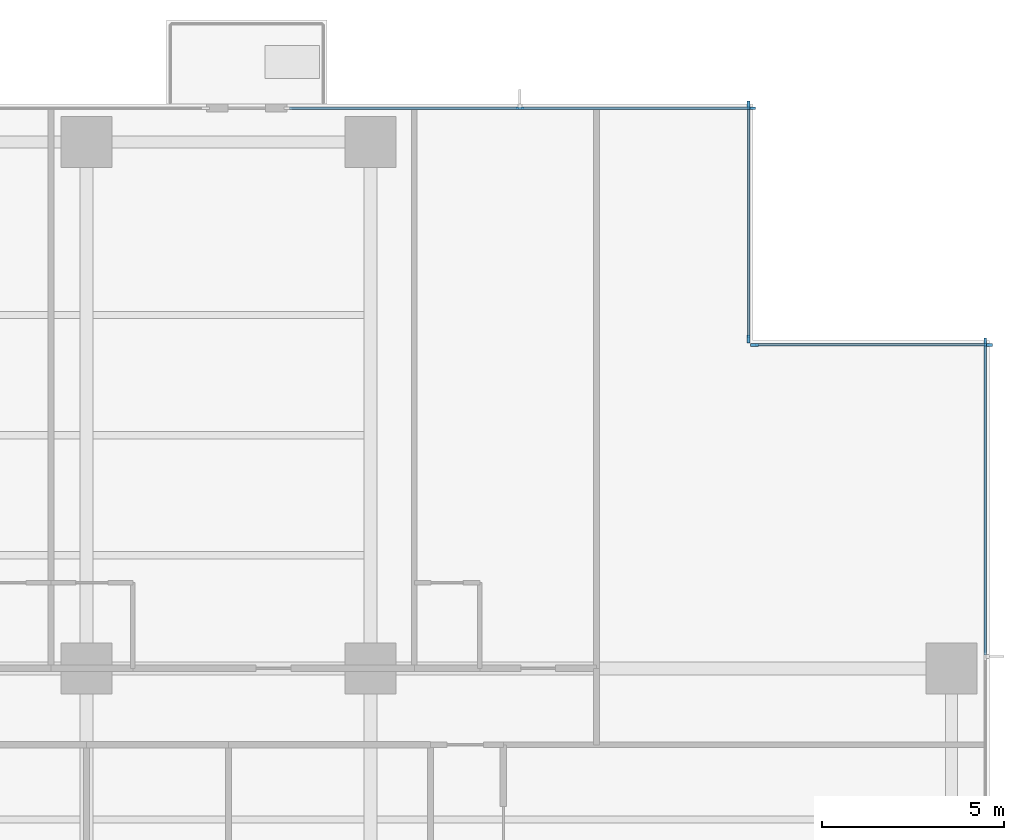
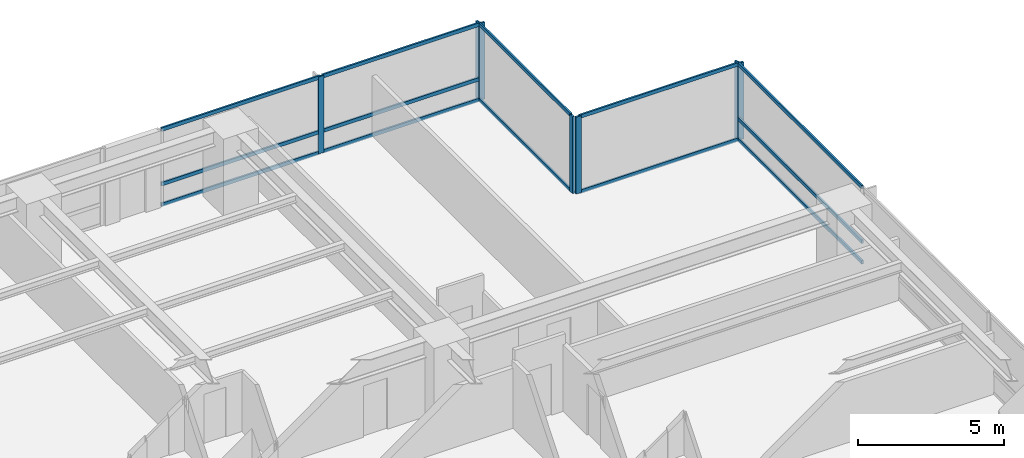
# One storey, part 5 of 16: 20 members, 4 elements without a shape of their own.
"""IFC4 building model written with IfcOpenShell, lengths in metres."""

from ifc_helpers import new_model, si_unit, direction, frame, origin, origin_2d, place, context, subcontext, project, spatial, rectangle, extrude, material, layer, layer_set, material_profile, profile_set, type_object, element, aggregate, save


model = new_model("IFC4")

# Units and contexts
model_context = context("Model", 3, precision=1e-05, world=origin(), true_north=direction((0.0, 1.0)))
body_context = subcontext(model_context, "Body", "Model", "MODEL_VIEW")
ifc_project = project(units=[si_unit("LENGTHUNIT", "METRE"), si_unit("AREAUNIT", "SQUARE_METRE"), si_unit("VOLUMEUNIT", "CUBIC_METRE"), si_unit("PLANEANGLEUNIT", "RADIAN"), si_unit("MASSUNIT", "GRAM", prefix="KILO")], contexts=[model_context])

# Site, building, storey
site_placement = place(None, origin())
site = spatial("IfcSite", under=ifc_project, at=site_placement, CompositionType="ELEMENT")
building_placement = place(site_placement, origin())
building = spatial("IfcBuilding", under=site, at=building_placement, Name="Qalmaran Belvedere Hotel", CompositionType="ELEMENT")
storey_placement = place(building_placement, frame((0.0, 0.0, 50.89990234375)))
storey = spatial("IfcBuildingStorey", under=building, at=storey_placement, Name="L12", CompositionType="ELEMENT", Elevation=50.89990234375)

# Curtain wall, member
ifc_material = material(Name="Anodised Bronze Aluminium", Category="aluminium")
ifc_layer = layer(ifc_material, 0.2099609375, Name="Anodised Bronze Aluminium")
ifc_layer_set = layer_set([ifc_layer], Name="Anodised Bronze Aluminium")
curtain_wall_type = type_object("IfcCurtainWallType", Name="CW2-TOWER-LOWER", PredefinedType="NOTDEFINED", material=ifc_layer_set)
curtain_wall_1_placement = place(storey_placement, origin())
curtain_wall_1 = element("IfcCurtainWall", 1, at=curtain_wall_1_placement, inside=storey, type_object=curtain_wall_type, Name="L12 Curtain Wall CW2", PredefinedType="NOTDEFINED")
ifc_material_profile_1 = material_profile(ifc_material, rectangle(XDim=0.074951171875, YDim=0.219970703125, at=origin_2d()), Name="CWM75X220")
ifc_profile_set_1 = profile_set([ifc_material_profile_1], Name="Anodised Bronze Aluminium")
member_type_1 = type_object("IfcMemberType", Name="CWM-75X220", PredefinedType="MULLION", material=ifc_profile_set_1)
member_1_placement = place(storey_placement, frame((61.679931640625, 41.96240234375, 0.0), z_axis=(0.0, 0.0, 1.0), x_axis=(-1.0, 0.0, 0.0)))
member_1 = element("IfcMember", 2, at=member_1_placement, type_object=member_type_1, Name="CW2 mullion 5", PredefinedType="MULLION", context=body_context, shape_type="SweptSolid", body=[
    extrude(rectangle(XDim=0.074951171875, YDim=0.219970703125, at=origin_2d()), origin(), (0.0, 0.0, 1.0), 3.22021484375),
])

# Curtain wall, members
curtain_wall_2_placement = place(storey_placement, origin())
curtain_wall_2 = element("IfcCurtainWall", 3, at=curtain_wall_2_placement, inside=storey, type_object=curtain_wall_type, Name="L12 Curtain Wall CW2", PredefinedType="NOTDEFINED")
member_2_placement = place(storey_placement, frame((61.762451171875, 41.8798828125, 0.0), z_axis=(0.0, 0.0, 1.0), x_axis=(0.0, -1.0, 0.0)))
member_2 = element("IfcMember", 4, at=member_2_placement, type_object=member_type_1, Name="CW2 mullion 1", PredefinedType="MULLION", context=body_context, shape_type="SweptSolid", body=[
    extrude(rectangle(XDim=0.074951171875, YDim=0.219970703125, at=origin_2d()), origin(), (0.0, 0.0, 1.0), 3.22021484375),
])
member_3_placement = place(storey_placement, frame((55.33740234375, 41.8798828125, 0.0), z_axis=(0.0, 0.0, 1.0), x_axis=(0.0, -1.0, 0.0)))
member_3 = element("IfcMember", 5, at=member_3_placement, type_object=member_type_1, Name="CW2 mullion 2", PredefinedType="MULLION", context=body_context, shape_type="SweptSolid", body=[
    extrude(rectangle(XDim=0.074951171875, YDim=0.219970703125, at=origin_2d()), origin(), (0.0, 0.0, 1.0), 3.22021484375),
])

curtain_wall_3_placement = place(storey_placement, origin())
curtain_wall_3 = element("IfcCurtainWall", 6, at=curtain_wall_3_placement, inside=storey, type_object=curtain_wall_type, Name="L12 Curtain Wall CW2", PredefinedType="NOTDEFINED")
member_4_placement = place(storey_placement, frame((55.179931640625, 42.03759765625, 0.0), z_axis=(0.0, 0.0, 1.0), x_axis=(-1.0, 0.0, 0.0)))
member_4 = element("IfcMember", 7, at=member_4_placement, type_object=member_type_1, Name="CW2 mullion 1", PredefinedType="MULLION", context=body_context, shape_type="SweptSolid", body=[
    extrude(rectangle(XDim=0.074951171875, YDim=0.219970703125, at=origin_2d()), origin(), (0.0, 0.0, 1.0), 3.22021484375),
])
member_5_placement = place(storey_placement, frame((55.179931640625, 48.46240234375, 0.0), z_axis=(0.0, 0.0, 1.0), x_axis=(-1.0, 0.0, 0.0)))
member_5 = element("IfcMember", 8, at=member_5_placement, type_object=member_type_1, Name="CW2 mullion 2", PredefinedType="MULLION", context=body_context, shape_type="SweptSolid", body=[
    extrude(rectangle(XDim=0.074951171875, YDim=0.219970703125, at=origin_2d()), origin(), (0.0, 0.0, 1.0), 3.22021484375),
])

curtain_wall_4_placement = place(storey_placement, origin())
curtain_wall_4 = element("IfcCurtainWall", 9, at=curtain_wall_4_placement, inside=storey, type_object=curtain_wall_type, Name="L12 Curtain Wall CW2", PredefinedType="NOTDEFINED")
member_6_placement = place(storey_placement, frame((55.262451171875, 48.3798828125, 0.0), z_axis=(0.0, 0.0, 1.0), x_axis=(0.0, -1.0, 0.0)))
member_6 = element("IfcMember", 10, at=member_6_placement, type_object=member_type_1, Name="CW2 mullion 1", PredefinedType="MULLION", context=body_context, shape_type="SweptSolid", body=[
    extrude(rectangle(XDim=0.074951171875, YDim=0.219970703125, at=origin_2d()), origin(), (0.0, 0.0, 1.0), 3.22021484375),
])
member_7_placement = place(storey_placement, frame((48.89990234375, 48.3798828125, 0.0), z_axis=(0.0, 0.0, 1.0), x_axis=(0.0, -1.0, 0.0)))
member_7 = element("IfcMember", 11, at=member_7_placement, type_object=member_type_1, Name="CW2 mullion 2", PredefinedType="MULLION", context=body_context, shape_type="SweptSolid", body=[
    extrude(rectangle(XDim=0.074951171875, YDim=0.219970703125, at=origin_2d()), origin(), (0.0, 0.0, 1.0), 3.22021484375),
])

# Member
ifc_material_profile_2 = material_profile(ifc_material, rectangle(XDim=0.070068359375, YDim=0.14990234375, at=origin_2d()), Name="CWT70X150")
ifc_profile_set_2 = profile_set([ifc_material_profile_2], Name="Anodised Bronze Aluminium")
member_type_2 = type_object("IfcMemberType", Name="CWT-70X150", PredefinedType="USERDEFINED", material=ifc_profile_set_2)
member_8_placement = place(storey_placement, frame((61.679931640625, 33.362548828125, 0.03515625), z_axis=(0.0, 1.0, 0.0), x_axis=(-1.0, 0.0, 0.0)))
member_8 = element("IfcMember", 12, at=member_8_placement, type_object=member_type_2, Name="CW2 transom 4.1", ObjectType="TRANSOM", PredefinedType="USERDEFINED", context=body_context, shape_type="SweptSolid", body=[
    extrude(rectangle(XDim=0.070068359375, YDim=0.14990234375, at=origin_2d()), origin(), (0.0, 0.0, 1.0), 8.5625),
])

member_9_placement = place(storey_placement, frame((61.679931640625, 33.362548828125, 0.901611328125), z_axis=(0.0, 1.0, 0.0), x_axis=(-1.0, 0.0, 0.0)))
member_9 = element("IfcMember", 13, at=member_9_placement, type_object=member_type_2, Name="CW2 transom 4.2", ObjectType="TRANSOM", PredefinedType="USERDEFINED", context=body_context, shape_type="SweptSolid", body=[
    extrude(rectangle(XDim=0.070068359375, YDim=0.14990234375, at=origin_2d()), origin(), (0.0, 0.0, 1.0), 8.5625),
])

member_10_placement = place(storey_placement, frame((61.679931640625, 33.362548828125, 3.18505859375), z_axis=(0.0, 1.0, 0.0), x_axis=(-1.0, 0.0, 0.0)))
member_10 = element("IfcMember", 14, at=member_10_placement, type_object=member_type_2, Name="CW2 transom 4.3", ObjectType="TRANSOM", PredefinedType="USERDEFINED", context=body_context, shape_type="SweptSolid", body=[
    extrude(rectangle(XDim=0.070068359375, YDim=0.14990234375, at=origin_2d()), origin(), (0.0, 0.0, 1.0), 8.5625),
])

aggregate(curtain_wall_1, [member_1, member_8, member_9, member_10])

member_11_placement = place(storey_placement, frame((61.72509765625, 41.8798828125, 0.03515625), z_axis=(-1.0, 0.0, 0.0), x_axis=(0.0, -1.0, 0.0)))
member_11 = element("IfcMember", 15, at=member_11_placement, type_object=member_type_2, Name="CW2 transom 1.1", ObjectType="TRANSOM", PredefinedType="USERDEFINED", context=body_context, shape_type="SweptSolid", body=[
    extrude(rectangle(XDim=0.070068359375, YDim=0.14990234375, at=origin_2d()), origin(), (0.0, 0.0, 1.0), 6.35009765625),
])

member_12_placement = place(storey_placement, frame((61.72509765625, 41.8798828125, 3.18505859375), z_axis=(-1.0, 0.0, 0.0), x_axis=(0.0, -1.0, 0.0)))
member_12 = element("IfcMember", 16, at=member_12_placement, type_object=member_type_2, Name="CW2 transom 1.2", ObjectType="TRANSOM", PredefinedType="USERDEFINED", context=body_context, shape_type="SweptSolid", body=[
    extrude(rectangle(XDim=0.070068359375, YDim=0.14990234375, at=origin_2d()), origin(), (0.0, 0.0, 1.0), 6.35009765625),
])

aggregate(curtain_wall_2, [member_2, member_3, member_11, member_12])

member_13_placement = place(storey_placement, frame((55.179931640625, 42.074951171875, 0.03515625), z_axis=(0.0, 1.0, 0.0), x_axis=(-1.0, 0.0, 0.0)))
member_13 = element("IfcMember", 17, at=member_13_placement, type_object=member_type_2, Name="CW2 transom 1.1", ObjectType="TRANSOM", PredefinedType="USERDEFINED", context=body_context, shape_type="SweptSolid", body=[
    extrude(rectangle(XDim=0.070068359375, YDim=0.14990234375, at=origin_2d()), origin(), (0.0, 0.0, 1.0), 6.35009765625),
])

member_14_placement = place(storey_placement, frame((55.179931640625, 42.074951171875, 3.18505859375), z_axis=(0.0, 1.0, 0.0), x_axis=(-1.0, 0.0, 0.0)))
member_14 = element("IfcMember", 18, at=member_14_placement, type_object=member_type_2, Name="CW2 transom 1.2", ObjectType="TRANSOM", PredefinedType="USERDEFINED", context=body_context, shape_type="SweptSolid", body=[
    extrude(rectangle(XDim=0.070068359375, YDim=0.14990234375, at=origin_2d()), origin(), (0.0, 0.0, 1.0), 6.35009765625),
])

aggregate(curtain_wall_3, [member_4, member_5, member_13, member_14])

member_15_placement = place(storey_placement, frame((55.22509765625, 48.3798828125, 0.03515625), z_axis=(-1.0, 0.0, 0.0), x_axis=(0.0, -1.0, 0.0)))
member_15 = element("IfcMember", 19, at=member_15_placement, type_object=member_type_2, Name="CW2 transom 1.1", ObjectType="TRANSOM", PredefinedType="USERDEFINED", context=body_context, shape_type="SweptSolid", body=[
    extrude(rectangle(XDim=0.070068359375, YDim=0.14990234375, at=origin_2d()), origin(), (0.0, 0.0, 1.0), 6.28759765625),
])

member_16_placement = place(storey_placement, frame((55.22509765625, 48.3798828125, 0.901611328125), z_axis=(-1.0, 0.0, 0.0), x_axis=(0.0, -1.0, 0.0)))
member_16 = element("IfcMember", 20, at=member_16_placement, type_object=member_type_2, Name="CW2 transom 1.2", ObjectType="TRANSOM", PredefinedType="USERDEFINED", context=body_context, shape_type="SweptSolid", body=[
    extrude(rectangle(XDim=0.070068359375, YDim=0.14990234375, at=origin_2d()), origin(), (0.0, 0.0, 1.0), 6.28759765625),
])

member_17_placement = place(storey_placement, frame((55.22509765625, 48.3798828125, 3.18505859375), z_axis=(-1.0, 0.0, 0.0), x_axis=(0.0, -1.0, 0.0)))
member_17 = element("IfcMember", 21, at=member_17_placement, type_object=member_type_2, Name="CW2 transom 1.3", ObjectType="TRANSOM", PredefinedType="USERDEFINED", context=body_context, shape_type="SweptSolid", body=[
    extrude(rectangle(XDim=0.070068359375, YDim=0.14990234375, at=origin_2d()), origin(), (0.0, 0.0, 1.0), 6.28759765625),
])

member_18_placement = place(storey_placement, frame((48.862548828125, 48.3798828125, 0.03515625), z_axis=(-1.0, 0.0, 0.0), x_axis=(0.0, -1.0, 0.0)))
member_18 = element("IfcMember", 22, at=member_18_placement, type_object=member_type_2, Name="CW2 transom 2.1", ObjectType="TRANSOM", PredefinedType="USERDEFINED", context=body_context, shape_type="SweptSolid", body=[
    extrude(rectangle(XDim=0.070068359375, YDim=0.14990234375, at=origin_2d()), origin(), (0.0, 0.0, 1.0), 6.28759765625),
])

member_19_placement = place(storey_placement, frame((48.862548828125, 48.3798828125, 0.901611328125), z_axis=(-1.0, 0.0, 0.0), x_axis=(0.0, -1.0, 0.0)))
member_19 = element("IfcMember", 23, at=member_19_placement, type_object=member_type_2, Name="CW2 transom 2.2", ObjectType="TRANSOM", PredefinedType="USERDEFINED", context=body_context, shape_type="SweptSolid", body=[
    extrude(rectangle(XDim=0.070068359375, YDim=0.14990234375, at=origin_2d()), origin(), (0.0, 0.0, 1.0), 6.28759765625),
])

member_20_placement = place(storey_placement, frame((48.862548828125, 48.3798828125, 3.18505859375), z_axis=(-1.0, 0.0, 0.0), x_axis=(0.0, -1.0, 0.0)))
member_20 = element("IfcMember", 24, at=member_20_placement, type_object=member_type_2, Name="CW2 transom 2.3", ObjectType="TRANSOM", PredefinedType="USERDEFINED", context=body_context, shape_type="SweptSolid", body=[
    extrude(rectangle(XDim=0.070068359375, YDim=0.14990234375, at=origin_2d()), origin(), (0.0, 0.0, 1.0), 6.28759765625),
])

aggregate(curtain_wall_4, [member_6, member_7, member_15, member_16, member_17, member_18, member_19, member_20])

save(model, "model.ifc")
